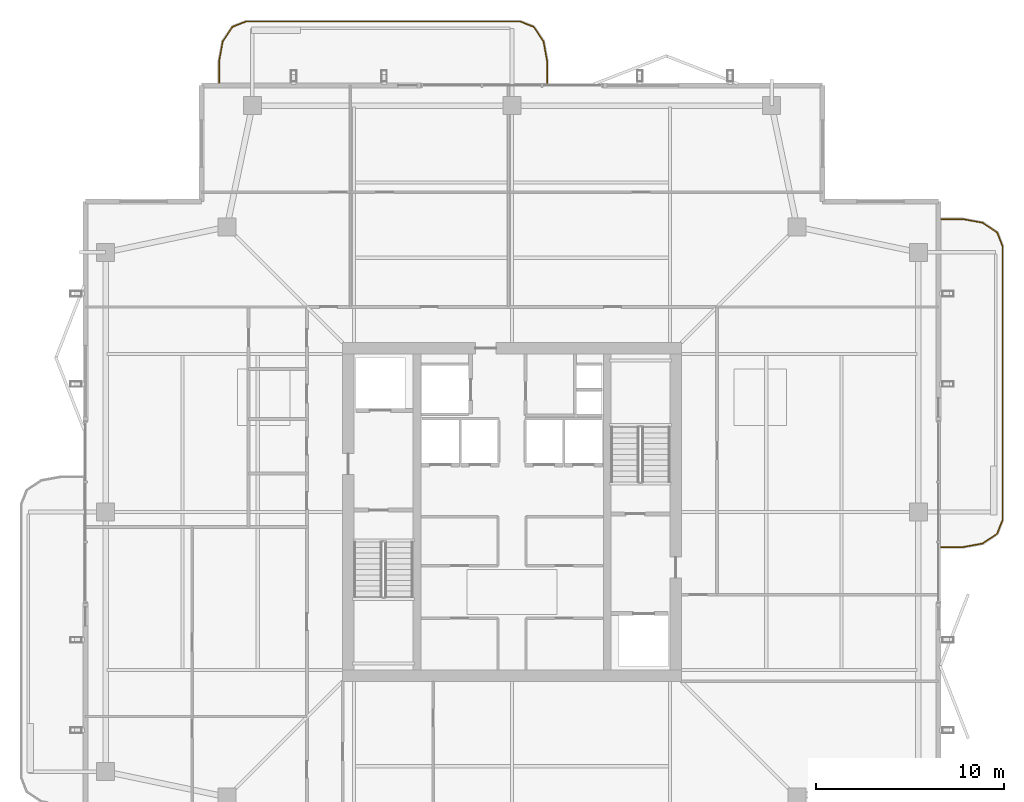
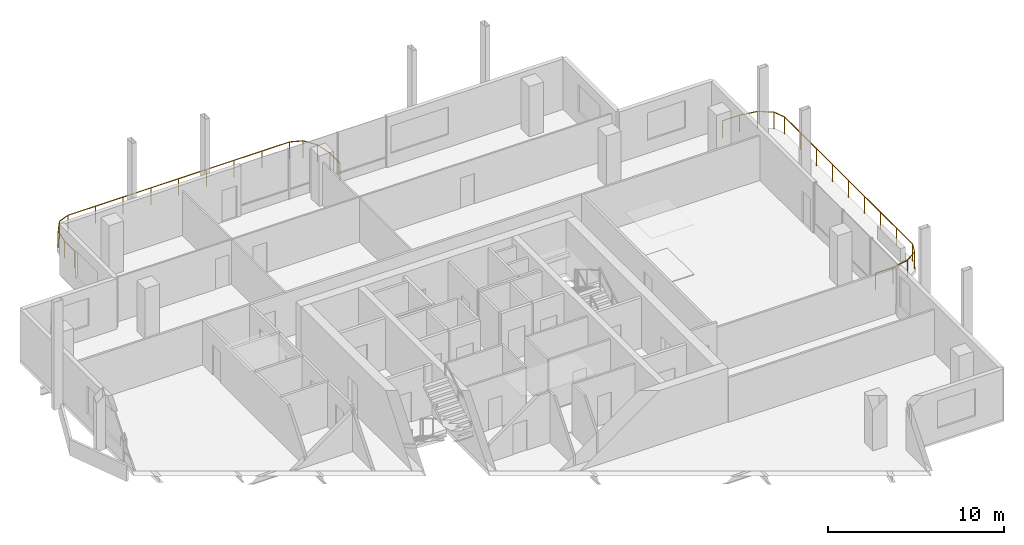
# One storey, part 20 of 20: 2 railings.
"""IFC4 building model written with IfcOpenShell, lengths in metres."""

from ifc_helpers import new_model, si_unit, direction, frame, origin, origin_2d, place, context, subcontext, project, spatial, rectangle, extrude, material, type_object, element, save


model = new_model("IFC4")

# Units and contexts
model_context = context("Model", 3, precision=1e-05, world=origin(), true_north=direction((0.0, 1.0)))
body_context = subcontext(model_context, "Body", "Model", "MODEL_VIEW")
ifc_project = project(units=[si_unit("LENGTHUNIT", "METRE"), si_unit("AREAUNIT", "SQUARE_METRE"), si_unit("VOLUMEUNIT", "CUBIC_METRE"), si_unit("PLANEANGLEUNIT", "RADIAN"), si_unit("MASSUNIT", "GRAM", prefix="KILO")], contexts=[model_context])

# Site, building, storey
site_placement = place(None, origin())
site = spatial("IfcSite", under=ifc_project, at=site_placement, CompositionType="ELEMENT")
building_placement = place(site_placement, origin())
building = spatial("IfcBuilding", under=site, at=building_placement, Name="Belovzor Exchange Tower", CompositionType="ELEMENT")
storey_placement = place(building_placement, frame((0.0, 0.0, 299.25)))
storey = spatial("IfcBuildingStorey", under=building, at=storey_placement, Name="L74", CompositionType="ELEMENT", Elevation=299.25)

# Railings
ifc_material = material(Name="Stainless Steel and Laminated Safety Glass", Category="steel")
railing_type = type_object("IfcRailingType", Name="Laminated Glass & Stainless Steel Balcony Balustrade 1200", PredefinedType="BALUSTRADE", material=ifc_material)
railing_1_placement = place(storey_placement, frame((30.669921875, 51.610107421875, 0.0)))
element("IfcRailing", 1, at=railing_1_placement, inside=storey, type_object=railing_type, Name="GR-1 Balcony Balustrade L74 North", PredefinedType="BALUSTRADE", context=body_context, shape_type="SweptSolid", body=[
    extrude(rectangle(XDim=0.048095703125, YDim=0.048095703125, at=origin_2d()), frame((0.0, 0.0, 1.17578125), z_axis=(0.0, 1.0, 0.0), x_axis=(-1.0, 0.0, 0.0)), (0.0, 0.0, 1.0), 1.1328125),
    extrude(rectangle(XDim=0.048095703125, YDim=0.048095703125, at=origin_2d()), frame((0.0, 1.1328125, 1.17578125), z_axis=(-0.180083182347, 0.983651385113, 0.0), x_axis=(-0.983651385113, -0.180083182347, 0.0)), (0.0, 0.0, 1.0), 1.093994140625),
    extrude(rectangle(XDim=0.048095703125, YDim=0.048095703125, at=origin_2d()), frame((-0.197021484375, 2.208984375, 1.17578125), z_axis=(-0.562768145367, 0.826614792125, 0.0), x_axis=(-0.826614792125, -0.562768145367, 0.0)), (0.0, 0.0, 1.0), 0.9326171875),
    extrude(rectangle(XDim=0.048095703125, YDim=0.048095703125, at=origin_2d()), frame((-0.721923828125, 2.97998046875, 1.17578125), z_axis=(-0.930766990125, 0.365612923861, 0.0), x_axis=(-0.365612923861, -0.930766990125, 0.0)), (0.0, 0.0, 1.0), 0.765869140625),
    extrude(rectangle(XDim=0.048095703125, YDim=0.048095703125, at=origin_2d()), frame((-1.434814453125, 3.260009765625, 1.17578125), z_axis=(-1.0, 0.0, 0.0), x_axis=(0.0, -1.0, 0.0)), (0.0, 0.0, 1.0), 14.570068359375),
    extrude(rectangle(XDim=0.048095703125, YDim=0.048095703125, at=origin_2d()), frame((-16.0048828125, 3.260009765625, 1.17578125), z_axis=(-0.930809580156, -0.365504480807, 0.0), x_axis=(0.365504480807, -0.930809580156, 0.0)), (0.0, 0.0, 1.0), 0.76611328125),
    extrude(rectangle(XDim=0.048095703125, YDim=0.048095703125, at=origin_2d()), frame((-16.718017578125, 2.97998046875, 1.17578125), z_axis=(-0.562768145367, -0.826614792125, 0.0), x_axis=(0.826614792125, -0.562768145367, 0.0)), (0.0, 0.0, 1.0), 0.9326171875),
    extrude(rectangle(XDim=0.048095703125, YDim=0.048095703125, at=origin_2d()), frame((-17.242919921875, 2.208984375, 1.17578125), z_axis=(-0.180083182347, -0.983651385113, 0.0), x_axis=(0.983651385113, -0.180083182347, 0.0)), (0.0, 0.0, 1.0), 1.093994140625),
    extrude(rectangle(XDim=0.048095703125, YDim=0.048095703125, at=origin_2d()), frame((-17.43994140625, 1.1328125, 1.17578125), z_axis=(0.0, -1.0, 0.0), x_axis=(1.0, 0.0, 0.0)), (0.0, 0.0, 1.0), 1.1328125),
    extrude(rectangle(XDim=0.0419921875, YDim=0.0419921875, at=origin_2d()), origin(), (0.0, 0.0, 1.0), 1.15185546875),
    extrude(rectangle(XDim=0.0419921875, YDim=0.0419921875, at=origin_2d()), frame((0.0, 1.1328125, 0.0)), (0.0, 0.0, 1.0), 1.15185546875),
    extrude(rectangle(XDim=0.0419921875, YDim=0.0419921875, at=origin_2d()), frame((-0.197021484375, 2.208984375, 0.0)), (0.0, 0.0, 1.0), 1.15185546875),
    extrude(rectangle(XDim=0.0419921875, YDim=0.0419921875, at=origin_2d()), frame((-0.721923828125, 2.97998046875, 0.0)), (0.0, 0.0, 1.0), 1.15185546875),
    extrude(rectangle(XDim=0.0419921875, YDim=0.0419921875, at=origin_2d()), frame((-1.434814453125, 3.260009765625, 0.0)), (0.0, 0.0, 1.0), 1.15185546875),
    extrude(rectangle(XDim=0.0419921875, YDim=0.0419921875, at=origin_2d()), frame((-3.256103515625, 3.260009765625, 0.0)), (0.0, 0.0, 1.0), 1.15185546875),
    extrude(rectangle(XDim=0.0419921875, YDim=0.0419921875, at=origin_2d()), frame((-5.077392578125, 3.260009765625, 0.0)), (0.0, 0.0, 1.0), 1.15185546875),
    extrude(rectangle(XDim=0.0419921875, YDim=0.0419921875, at=origin_2d()), frame((-6.898681640625, 3.260009765625, 0.0)), (0.0, 0.0, 1.0), 1.15185546875),
    extrude(rectangle(XDim=0.0419921875, YDim=0.0419921875, at=origin_2d()), frame((-8.7197265625, 3.260009765625, 0.0)), (0.0, 0.0, 1.0), 1.15185546875),
    extrude(rectangle(XDim=0.0419921875, YDim=0.0419921875, at=origin_2d()), frame((-10.541015625, 3.260009765625, 0.0)), (0.0, 0.0, 1.0), 1.15185546875),
    extrude(rectangle(XDim=0.0419921875, YDim=0.0419921875, at=origin_2d()), frame((-12.3623046875, 3.260009765625, 0.0)), (0.0, 0.0, 1.0), 1.15185546875),
    extrude(rectangle(XDim=0.0419921875, YDim=0.0419921875, at=origin_2d()), frame((-14.18359375, 3.260009765625, 0.0)), (0.0, 0.0, 1.0), 1.15185546875),
    extrude(rectangle(XDim=0.0419921875, YDim=0.0419921875, at=origin_2d()), frame((-16.0048828125, 3.260009765625, 0.0)), (0.0, 0.0, 1.0), 1.15185546875),
    extrude(rectangle(XDim=0.0419921875, YDim=0.0419921875, at=origin_2d()), frame((-16.718017578125, 2.97998046875, 0.0)), (0.0, 0.0, 1.0), 1.15185546875),
    extrude(rectangle(XDim=0.0419921875, YDim=0.0419921875, at=origin_2d()), frame((-17.242919921875, 2.208984375, 0.0)), (0.0, 0.0, 1.0), 1.15185546875),
    extrude(rectangle(XDim=0.0419921875, YDim=0.0419921875, at=origin_2d()), frame((-17.43994140625, 1.1328125, 0.0)), (0.0, 0.0, 1.0), 1.15185546875),
    extrude(rectangle(XDim=0.0419921875, YDim=0.0419921875, at=origin_2d()), frame((-17.43994140625, 0.0, 0.0)), (0.0, 0.0, 1.0), 1.15185546875),
])
railing_2_placement = place(storey_placement, frame((51.610107421875, 26.929931640625, 0.0)))
element("IfcRailing", 2, at=railing_2_placement, inside=storey, type_object=railing_type, Name="GR-1 Balcony Balustrade L74 East", PredefinedType="BALUSTRADE", context=body_context, shape_type="SweptSolid", body=[
    extrude(rectangle(XDim=0.048095703125, YDim=0.048095703125, at=origin_2d()), frame((0.0, 0.0, 1.17578125), z_axis=(1.0, 0.0, 0.0), x_axis=(0.0, 1.0, 0.0)), (0.0, 0.0, 1.0), 1.1328125),
    extrude(rectangle(XDim=0.048095703125, YDim=0.048095703125, at=origin_2d()), frame((1.1328125, 0.0, 1.17578125), z_axis=(0.983651385113, 0.180083182347, 0.0), x_axis=(-0.180083182347, 0.983651385113, 0.0)), (0.0, 0.0, 1.0), 1.093994140625),
    extrude(rectangle(XDim=0.048095703125, YDim=0.048095703125, at=origin_2d()), frame((2.208984375, 0.197021484375, 1.17578125), z_axis=(0.826493025367, 0.56294695933, 0.0), x_axis=(-0.56294695933, 0.826493025367, 0.0)), (0.0, 0.0, 1.0), 0.932861328125),
    extrude(rectangle(XDim=0.048095703125, YDim=0.048095703125, at=origin_2d()), frame((2.97998046875, 0.72216796875, 1.17578125), z_axis=(0.365612923861, 0.930766990125, 0.0), x_axis=(-0.930766990125, 0.365612923861, 0.0)), (0.0, 0.0, 1.0), 0.765869140625),
    extrude(rectangle(XDim=0.048095703125, YDim=0.048095703125, at=origin_2d()), frame((3.260009765625, 1.43505859375, 1.17578125), z_axis=(0.0, 1.0, 0.0), x_axis=(-1.0, 0.0, 0.0)), (0.0, 0.0, 1.0), 14.570068359375),
    extrude(rectangle(XDim=0.048095703125, YDim=0.048095703125, at=origin_2d()), frame((3.260009765625, 16.005126953125, 1.17578125), z_axis=(-0.365612923861, 0.930766990125, 0.0), x_axis=(-0.930766990125, -0.365612923861, 0.0)), (0.0, 0.0, 1.0), 0.765869140625),
    extrude(rectangle(XDim=0.048095703125, YDim=0.048095703125, at=origin_2d()), frame((2.97998046875, 16.718017578125, 1.17578125), z_axis=(-0.826493025367, 0.56294695933, 0.0), x_axis=(-0.56294695933, -0.826493025367, 0.0)), (0.0, 0.0, 1.0), 0.932861328125),
    extrude(rectangle(XDim=0.048095703125, YDim=0.048095703125, at=origin_2d()), frame((2.208984375, 17.2431640625, 1.17578125), z_axis=(-0.983651385113, 0.180083182347, 0.0), x_axis=(-0.180083182347, -0.983651385113, 0.0)), (0.0, 0.0, 1.0), 1.093994140625),
    extrude(rectangle(XDim=0.048095703125, YDim=0.048095703125, at=origin_2d()), frame((1.1328125, 17.440185546875, 1.17578125), z_axis=(-1.0, 0.0, 0.0), x_axis=(0.0, -1.0, 0.0)), (0.0, 0.0, 1.0), 1.1328125),
    extrude(rectangle(XDim=0.0419921875, YDim=0.0419921875, at=origin_2d()), origin(), (0.0, 0.0, 1.0), 1.15185546875),
    extrude(rectangle(XDim=0.0419921875, YDim=0.0419921875, at=origin_2d()), frame((1.1328125, 0.0, 0.0)), (0.0, 0.0, 1.0), 1.15185546875),
    extrude(rectangle(XDim=0.0419921875, YDim=0.0419921875, at=origin_2d()), frame((2.208984375, 0.197021484375, 0.0)), (0.0, 0.0, 1.0), 1.15185546875),
    extrude(rectangle(XDim=0.0419921875, YDim=0.0419921875, at=origin_2d()), frame((2.97998046875, 0.72216796875, 0.0)), (0.0, 0.0, 1.0), 1.15185546875),
    extrude(rectangle(XDim=0.0419921875, YDim=0.0419921875, at=origin_2d()), frame((3.260009765625, 1.43505859375, 0.0)), (0.0, 0.0, 1.0), 1.15185546875),
    extrude(rectangle(XDim=0.0419921875, YDim=0.0419921875, at=origin_2d()), frame((3.260009765625, 3.25634765625, 0.0)), (0.0, 0.0, 1.0), 1.15185546875),
    extrude(rectangle(XDim=0.0419921875, YDim=0.0419921875, at=origin_2d()), frame((3.260009765625, 5.07763671875, 0.0)), (0.0, 0.0, 1.0), 1.15185546875),
    extrude(rectangle(XDim=0.0419921875, YDim=0.0419921875, at=origin_2d()), frame((3.260009765625, 6.89892578125, 0.0)), (0.0, 0.0, 1.0), 1.15185546875),
    extrude(rectangle(XDim=0.0419921875, YDim=0.0419921875, at=origin_2d()), frame((3.260009765625, 8.72021484375, 0.0)), (0.0, 0.0, 1.0), 1.15185546875),
    extrude(rectangle(XDim=0.0419921875, YDim=0.0419921875, at=origin_2d()), frame((3.260009765625, 10.541259765625, 0.0)), (0.0, 0.0, 1.0), 1.15185546875),
    extrude(rectangle(XDim=0.0419921875, YDim=0.0419921875, at=origin_2d()), frame((3.260009765625, 12.362548828125, 0.0)), (0.0, 0.0, 1.0), 1.15185546875),
    extrude(rectangle(XDim=0.0419921875, YDim=0.0419921875, at=origin_2d()), frame((3.260009765625, 14.183837890625, 0.0)), (0.0, 0.0, 1.0), 1.15185546875),
    extrude(rectangle(XDim=0.0419921875, YDim=0.0419921875, at=origin_2d()), frame((3.260009765625, 16.005126953125, 0.0)), (0.0, 0.0, 1.0), 1.15185546875),
    extrude(rectangle(XDim=0.0419921875, YDim=0.0419921875, at=origin_2d()), frame((2.97998046875, 16.718017578125, 0.0)), (0.0, 0.0, 1.0), 1.15185546875),
    extrude(rectangle(XDim=0.0419921875, YDim=0.0419921875, at=origin_2d()), frame((2.208984375, 17.2431640625, 0.0)), (0.0, 0.0, 1.0), 1.15185546875),
    extrude(rectangle(XDim=0.0419921875, YDim=0.0419921875, at=origin_2d()), frame((1.1328125, 17.440185546875, 0.0)), (0.0, 0.0, 1.0), 1.15185546875),
    extrude(rectangle(XDim=0.0419921875, YDim=0.0419921875, at=origin_2d()), frame((0.0, 17.440185546875, 0.0)), (0.0, 0.0, 1.0), 1.15185546875),
])

save(model, "model.ifc")
